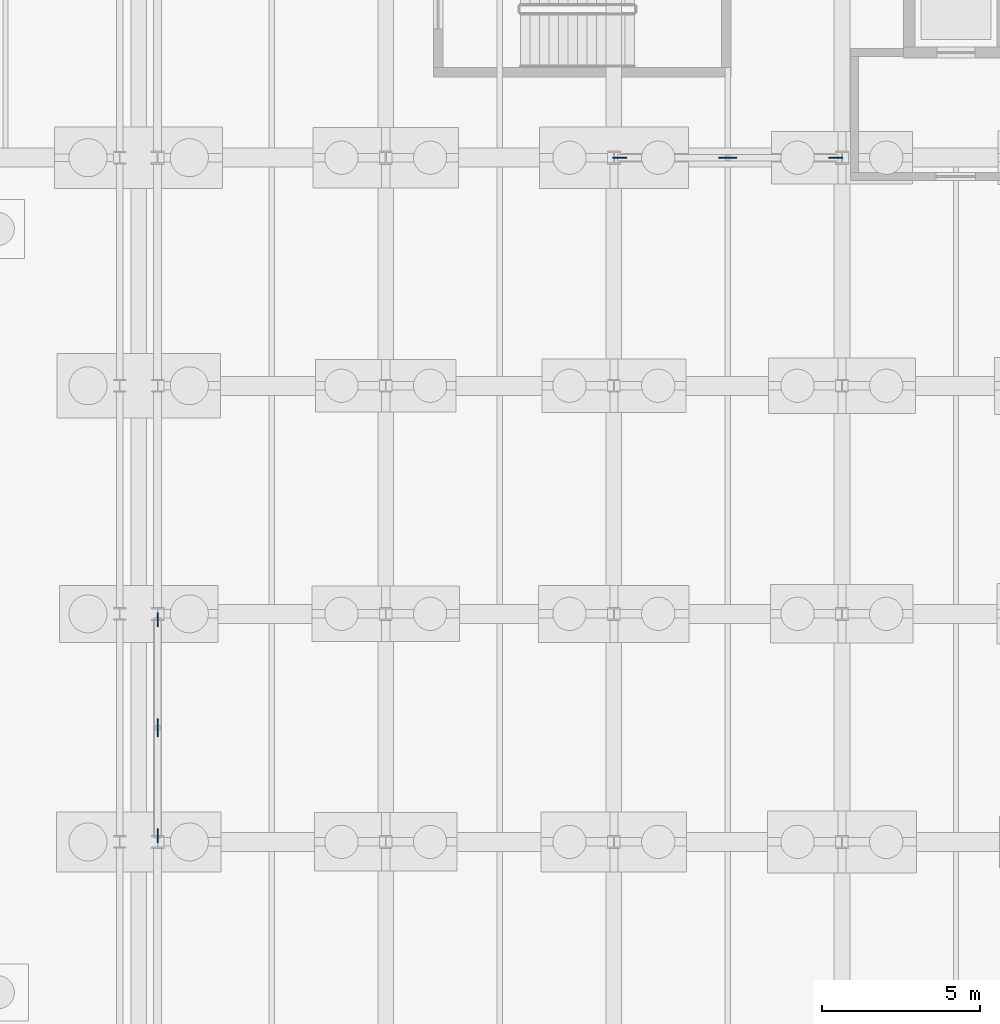
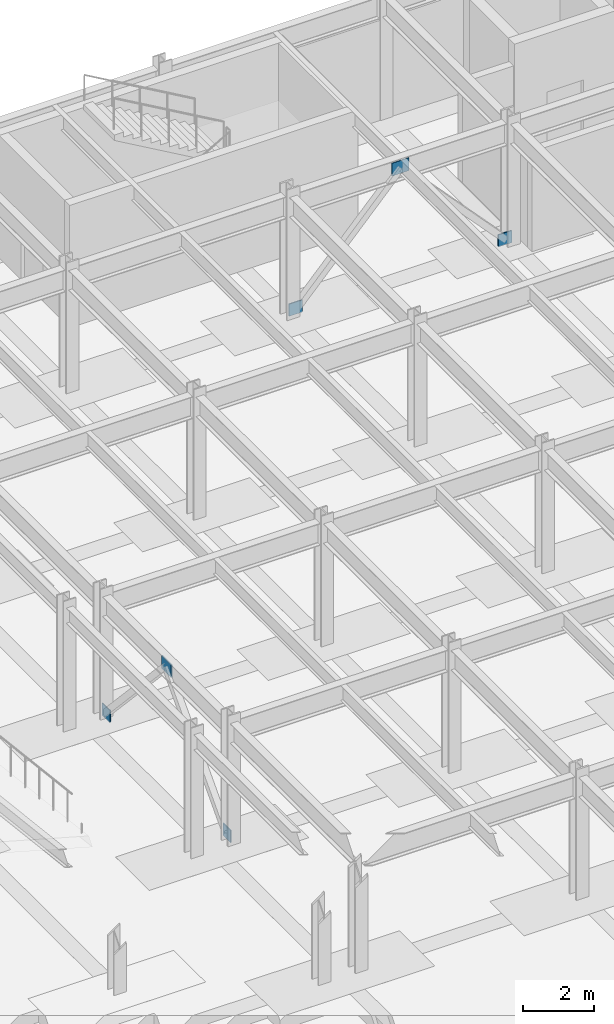
# One storey, part 38 of 54: 6 plates.
"""IFC4 building model written with IfcOpenShell, lengths in metres."""

from ifc_helpers import new_model, si_unit, direction, frame, origin, origin_2d, place, context, subcontext, project, spatial, rectangle, extrude, material, layer, layer_set, type_object, element, save


model = new_model("IFC4")

# Units and contexts
model_context = context("Model", 3, precision=1e-05, world=origin(), true_north=direction((0.0, 1.0)))
body_context = subcontext(model_context, "Body", "Model", "MODEL_VIEW")
ifc_project = project(units=[si_unit("LENGTHUNIT", "METRE"), si_unit("AREAUNIT", "SQUARE_METRE"), si_unit("VOLUMEUNIT", "CUBIC_METRE"), si_unit("PLANEANGLEUNIT", "RADIAN"), si_unit("MASSUNIT", "GRAM", prefix="KILO")], contexts=[model_context])

# Site, building, storey
site_placement = place(None, origin())
site = spatial("IfcSite", under=ifc_project, at=site_placement, CompositionType="ELEMENT")
building_placement = place(site_placement, origin())
building = spatial("IfcBuilding", under=site, at=building_placement, Name="Vaelcorin Mobility Hub", CompositionType="ELEMENT")
storey_placement = place(building_placement, frame((0.0, 0.0, -4.5)))
storey = spatial("IfcBuildingStorey", under=building, at=storey_placement, Name="B1", CompositionType="ELEMENT", Elevation=-4.5)

# Plates
ifc_material = material(Name="Steel ASTM A572 Grade 50", Category="steel")
ifc_layer = layer(ifc_material, 0.034912109375)
ifc_layer_set = layer_set([ifc_layer], Name="Steel ASTM A572 Grade 50")
plate_type = type_object("IfcPlateType", Name="PL-GN1", PredefinedType="USERDEFINED", material=ifc_layer_set)
for number, where, z_axis, x_axis, name in (
    (1, (50.590087890625, 112.800048828125, -0.030029296875), (0.0, 0.0, 1.0), (1.0, 0.0, 0.0), "SCBF Gusset Plate GN1 V4-BX1-B1-A"),
    (2, (57.409912109375, 112.800048828125, -0.030029296875), (0.0, 0.0, 1.0), (1.0, 0.0, 0.0), "SCBF Gusset Plate GN1 V4-BX1-B1-B"),
):
    element("IfcPlate", number, at=place(storey_placement, frame(where, z_axis=z_axis, x_axis=x_axis)), inside=storey, type_object=plate_type, Name=name, ObjectType="GUSSET PLATE", PredefinedType="USERDEFINED", context=body_context, shape_type="SweptSolid", body=[
        extrude(rectangle(XDim=0.43994140625, YDim=0.034912109375, at=origin_2d()), origin(), (0.0, 0.0, 1.0), 0.419921875),
    ])
plate_1_placement = place(storey_placement, frame((54.0, 112.800048828125, 3.630126953125), z_axis=(0.0, 0.0, 1.0), x_axis=(1.0, 0.0, 0.0)))
element("IfcPlate", 3, at=plate_1_placement, inside=storey, type_object=plate_type, Name="SCBF Apex Gusset GN1 V4-BX1-B1", ObjectType="GUSSET PLATE", PredefinedType="USERDEFINED", context=body_context, shape_type="SweptSolid", body=[
    extrude(rectangle(XDim=0.56005859375, YDim=0.034912109375, at=origin_2d()), origin(), (0.0, 0.0, 1.0), 0.43994140625),
])
for number, where, z_axis, x_axis, name in (
    (4, (36.0, 91.389892578125, -0.030029296875), (0.0, 0.0, 1.0), (0.0, 1.0, 0.0), "SCBF Gusset Plate GN1 V4-BY1-B1-A"),
    (5, (36.0, 98.2099609375, -0.030029296875), (0.0, 0.0, 1.0), (0.0, 1.0, 0.0), "SCBF Gusset Plate GN1 V4-BY1-B1-B"),
):
    element("IfcPlate", number, at=place(storey_placement, frame(where, z_axis=z_axis, x_axis=x_axis)), inside=storey, type_object=plate_type, Name=name, ObjectType="GUSSET PLATE", PredefinedType="USERDEFINED", context=body_context, shape_type="SweptSolid", body=[
        extrude(rectangle(XDim=0.43994140625, YDim=0.034912109375, at=origin_2d()), origin(), (0.0, 0.0, 1.0), 0.419921875),
    ])
plate_2_placement = place(storey_placement, frame((36.0, 94.800048828125, 3.630126953125), z_axis=(0.0, 0.0, 1.0), x_axis=(0.0, 1.0, 0.0)))
element("IfcPlate", 6, at=plate_2_placement, inside=storey, type_object=plate_type, Name="SCBF Apex Gusset GN1 V4-BY1-B1", ObjectType="GUSSET PLATE", PredefinedType="USERDEFINED", context=body_context, shape_type="SweptSolid", body=[
    extrude(rectangle(XDim=0.56005859375, YDim=0.034912109375, at=origin_2d()), origin(), (0.0, 0.0, 1.0), 0.43994140625),
])

save(model, "model.ifc")
